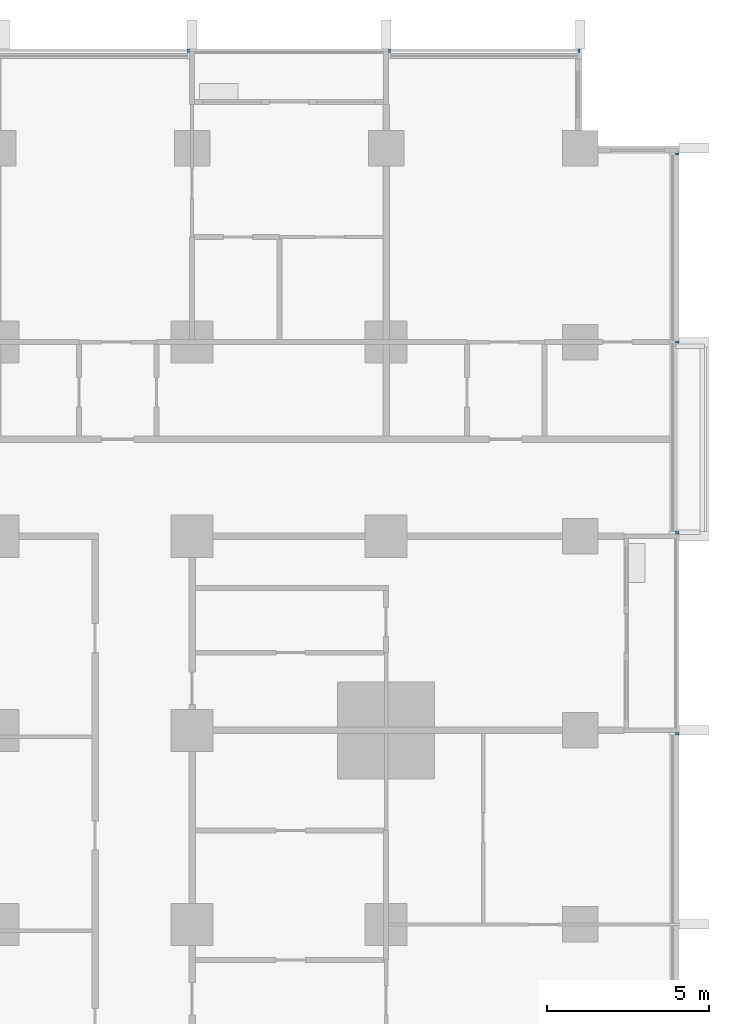
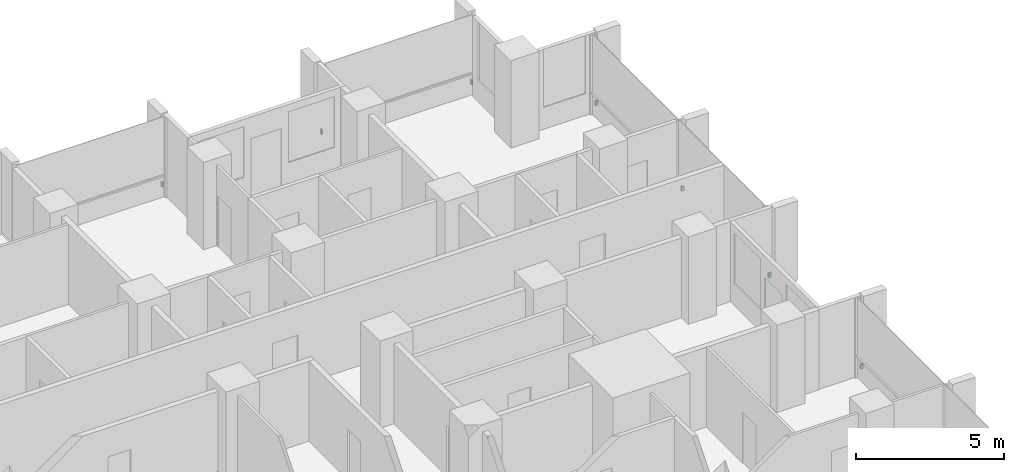
# One storey, part 17 of 18: 7 discrete accessories.
"""IFC4 building model written with IfcOpenShell, lengths in metres."""

from ifc_helpers import new_model, si_unit, direction, frame, origin, origin_2d, place, context, subcontext, project, spatial, rectangle, extrude, material, type_object, element, save


model = new_model("IFC4")

# Units and contexts
model_context = context("Model", 3, precision=1e-05, world=origin(), true_north=direction((0.0, 1.0)))
body_context = subcontext(model_context, "Body", "Model", "MODEL_VIEW")
ifc_project = project(units=[si_unit("LENGTHUNIT", "METRE"), si_unit("AREAUNIT", "SQUARE_METRE"), si_unit("VOLUMEUNIT", "CUBIC_METRE"), si_unit("PLANEANGLEUNIT", "RADIAN"), si_unit("MASSUNIT", "GRAM", prefix="KILO")], contexts=[model_context])

# Site, building, storey
site_placement = place(None, origin())
site = spatial("IfcSite", under=ifc_project, at=site_placement, CompositionType="ELEMENT")
building_placement = place(site_placement, origin())
building = spatial("IfcBuilding", under=site, at=building_placement, Name="Finial Court Residences", CompositionType="ELEMENT")
storey_placement = place(building_placement, frame((0.0, 0.0, 68.5)))
storey = spatial("IfcBuildingStorey", under=building, at=storey_placement, Name="L16", CompositionType="ELEMENT", Elevation=68.5)

# Discrete accessories
ifc_material = material(Name="Stainless steel 316", Category="steel")
discrete_accessory_type = type_object("IfcDiscreteAccessoryType", Name="Fin bracket, stainless steel 65 x 110 x 200", PredefinedType="BRACKET", material=ifc_material)
for number, where, z_axis, x_axis, name in (
    (1, (10.392578125, 28.5048828125, 0.2998046875), (0.0, 0.0, 1.0), (1.0, 0.0, 0.0), "E-L16-FIN-N6-BRK"),
    (2, (16.607421875, 28.5048828125, 0.2998046875), (0.0, 0.0, 1.0), (1.0, 0.0, 0.0), "E-L16-FIN-N7-BRK"),
    (3, (22.467529296875, 28.5048828125, 0.2998046875), (0.0, 0.0, 1.0), (1.0, 0.0, 0.0), "E-L16-FIN-N8-BRK"),
):
    element("IfcDiscreteAccessory", number, at=place(storey_placement, frame(where, z_axis=z_axis, x_axis=x_axis)), inside=storey, type_object=discrete_accessory_type, Name=name, PredefinedType="BRACKET", context=body_context, shape_type="SweptSolid", body=[
        extrude(rectangle(XDim=0.06494140625, YDim=0.110107421875, at=origin_2d()), origin(), (0.0, 0.0, 1.0), 0.199951171875),
    ])
for number, where, z_axis, x_axis, name in (
    (4, (25.5048828125, 7.392578125, 0.2998046875), (0.0, 0.0, 1.0), (1.0, 0.0, 0.0), "E-L16-FIN-E13-BRK"),
    (5, (25.5048828125, 13.607421875, 0.2998046875), (0.0, 0.0, 1.0), (1.0, 0.0, 0.0), "E-L16-FIN-E14-BRK"),
    (6, (25.5048828125, 19.5, 0.2998046875), (0.0, 0.0, 1.0), (1.0, 0.0, 0.0), "E-L16-FIN-E15-BRK"),
    (7, (25.5048828125, 25.3173828125, 0.2998046875), (0.0, 0.0, 1.0), (1.0, 0.0, 0.0), "E-L16-FIN-E16-BRK"),
):
    element("IfcDiscreteAccessory", number, at=place(storey_placement, frame(where, z_axis=z_axis, x_axis=x_axis)), inside=storey, type_object=discrete_accessory_type, Name=name, PredefinedType="BRACKET", context=body_context, shape_type="SweptSolid", body=[
        extrude(rectangle(XDim=0.110107421875, YDim=0.06494140625, at=origin_2d()), origin(), (0.0, 0.0, 1.0), 0.199951171875),
    ])

save(model, "model.ifc")
